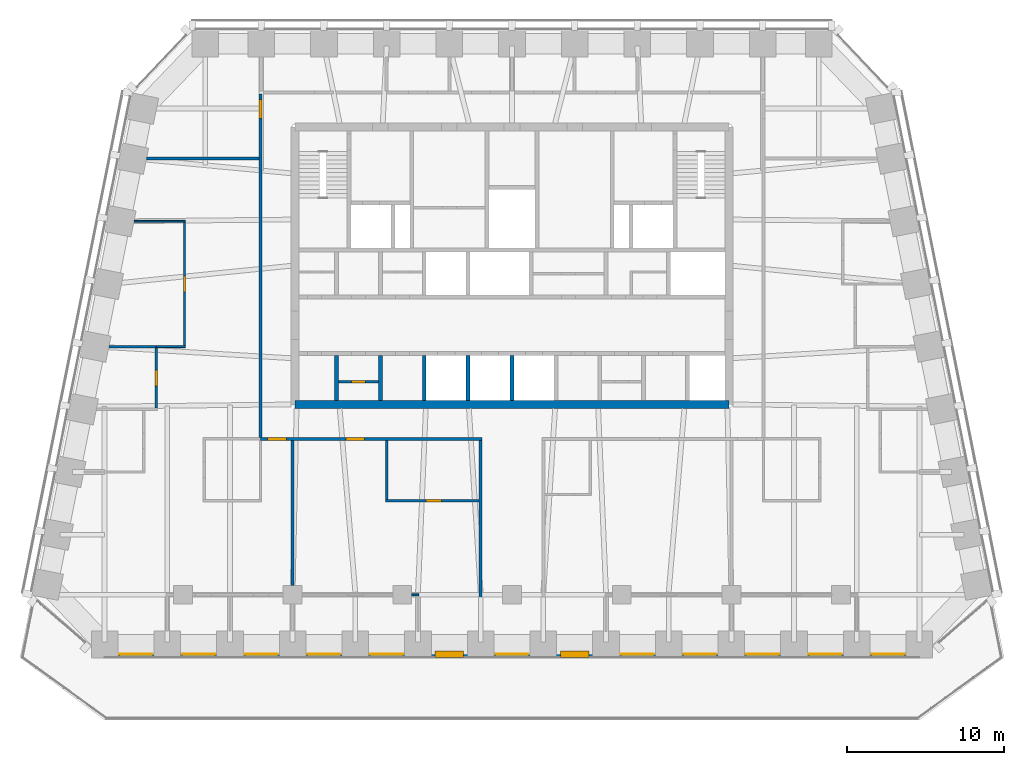
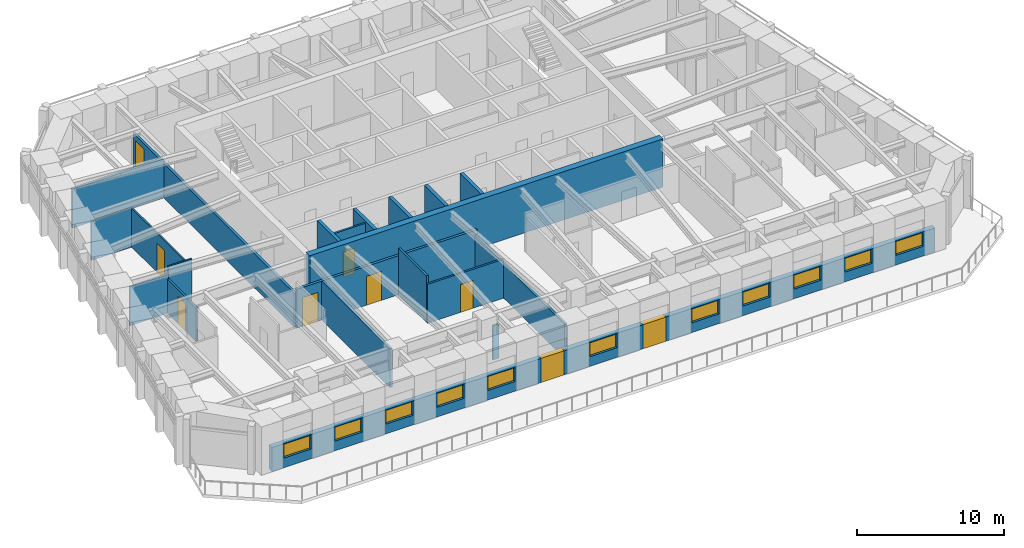
# One storey, part 5 of 11: 21 walls, 11 windows, 9 doors, 20 openings.
"""IFC4 building model written with IfcOpenShell, lengths in metres."""

import ifcopenshell
import ifcopenshell.guid

model = None  # the IFC model being written
_history = None  # IfcOwnerHistory: only IFC2X3 demands one
_inside = {}  # id of a spatial element -> (the spatial element, [elements in it])
_under = {}  # id of a project, library or spatial element -> (it, [spatial elements below it])
_declared = {}  # id of a project -> (the project, [libraries it declares])
_typed = {}  # id of a type object -> (the type object, [elements of that type])
_made_of = {}  # id of a material, layer set ... -> (it, [elements and type objects made of it])


def new_model(schema):
    """Start an empty IFC model of exactly this schema.

    Asked for "IFC4X3", IfcOpenShell would pick the latest addendum, in which some entities
    have other attributes; the version numbers below select the first issue.
    IFC2X3 requires an IfcOwnerHistory on every rooted entity: one is made here for all.
    """
    global model, _history
    if schema == "IFC4X3":
        model = ifcopenshell.file(schema_version=(4, 3, 0, 0))
    else:
        model = ifcopenshell.file(schema=schema)
    _inside.clear()
    _under.clear()
    _declared.clear()
    _typed.clear()
    _made_of.clear()
    _history = None
    if model.schema == "IFC2X3":
        org = make("IfcOrganization", Name="unknown")
        user = make(
            "IfcPersonAndOrganization",
            ThePerson=make("IfcPerson", FamilyName="unknown"),
            TheOrganization=org,
        )
        app = make(
            "IfcApplication",
            ApplicationDeveloper=org,
            Version="unknown",
            ApplicationFullName="unknown",
            ApplicationIdentifier="unknown",
        )
        _history = make(
            "IfcOwnerHistory",
            OwningUser=user,
            OwningApplication=app,
            ChangeAction="ADDED",
            CreationDate=0,
        )
    return model


def make(cls, **values):
    """One entity of the class cls with the attributes given. An attribute that is None is left unset."""
    return model.create_entity(
        cls, **{name: value for name, value in values.items() if value is not None}
    )


def rooted(cls, **values):
    """An entity with a GlobalId (a new one), such as an element, a storey or a relation."""
    return make(cls, GlobalId=ifcopenshell.guid.new(), OwnerHistory=_history, **values)


def si_unit(unit_type, name, prefix=None):
    """IfcSIUnit, for example si_unit("LENGTHUNIT", "METRE", prefix="MILLI")."""
    return make("IfcSIUnit", UnitType=unit_type, Prefix=prefix, Name=name)


def assignment(units):
    """IfcUnitAssignment: the units of a project."""
    return None if units is None else make("IfcUnitAssignment", Units=units)


def point(xyz):
    """IfcCartesianPoint."""
    return None if xyz is None else make("IfcCartesianPoint", Coordinates=xyz)


def direction(xyz):
    """IfcDirection."""
    return None if xyz is None else make("IfcDirection", DirectionRatios=xyz)


def frame(location, z_axis=None, x_axis=None):
    """IfcAxis2Placement3D, a coordinate frame: its origin and axes. An axis left out is left unset."""
    return make(
        "IfcAxis2Placement3D",
        Location=point(location),
        Axis=direction(z_axis),
        RefDirection=direction(x_axis),
    )


def frame_2d(location, x_axis=None):
    """IfcAxis2Placement2D, a coordinate frame in the plane: its origin and x axis."""
    return make(
        "IfcAxis2Placement2D", Location=point(location), RefDirection=direction(x_axis)
    )


def origin():
    """The frame at (0, 0, 0) with its axes left unset."""
    return frame((0.0, 0.0, 0.0))


def place(relative_to, where):
    """IfcLocalPlacement: puts the frame where relative to a parent placement (None: the world)."""
    return make(
        "IfcLocalPlacement", PlacementRelTo=relative_to, RelativePlacement=where
    )


def context(
    kind, dimensions, precision=None, world=None, true_north=None, identifier=None
):
    """IfcGeometricRepresentationContext, for example the 3D "Model" context."""
    return make(
        "IfcGeometricRepresentationContext",
        ContextIdentifier=identifier,
        ContextType=kind,
        CoordinateSpaceDimension=dimensions,
        Precision=precision,
        WorldCoordinateSystem=world,
        TrueNorth=true_north,
    )


def subcontext(parent, identifier, kind, view, scale=None):
    """IfcGeometricRepresentationSubContext, for example "Body" below "Model"."""
    return make(
        "IfcGeometricRepresentationSubContext",
        ContextIdentifier=identifier,
        ContextType=kind,
        ParentContext=parent,
        TargetScale=scale,
        TargetView=view,
    )


def project(units=None, contexts=None):
    """IfcProject with its units and contexts."""
    return rooted(
        "IfcProject",
        Name="project",
        RepresentationContexts=contexts,
        UnitsInContext=assignment(units),
    )


def spatial(cls, under=None, at=None, **own):
    """A site, building, storey or space (cls), placed at a placement, below another one or the project."""
    s = rooted(cls, ObjectPlacement=at, **own)
    if under is not None:
        _under.setdefault(under.id(), (under, []))[1].append(s)
    return s


def profile(cls, at=None, kind="AREA", **sizes):
    """A parametric profile (cls). Its sizes go by their IFC names, for example OverallWidth=200.0."""
    return make(cls, ProfileType=kind, Position=at, **sizes)


def rectangle(**sizes):
    """IfcRectangleProfileDef."""
    return profile("IfcRectangleProfileDef", **sizes)


def extrude(swept, where, along, depth):
    """IfcExtrudedAreaSolid: the profile swept, set in the frame where, extruded along a direction by depth."""
    return make(
        "IfcExtrudedAreaSolid",
        SweptArea=swept,
        Position=where,
        ExtrudedDirection=direction(along),
        Depth=depth,
    )


def shape(context_of_items, identifier, shape_type, items):
    """IfcShapeRepresentation: the items that make up one representation, for example the "Body"."""
    return make(
        "IfcShapeRepresentation",
        ContextOfItems=context_of_items,
        RepresentationIdentifier=identifier,
        RepresentationType=shape_type,
        Items=items,
    )


def material(Name=None, Category=None):
    """IfcMaterial."""
    return make("IfcMaterial", Name=Name, Category=Category)


def layer(
    of_material, thickness, ventilated=None, Name=None, Category=None, Priority=None
):
    """IfcMaterialLayer: one layer of a wall or slab, of a material (None: an air gap)."""
    return make(
        "IfcMaterialLayer",
        Material=of_material,
        LayerThickness=thickness,
        IsVentilated=ventilated,
        Name=Name,
        Category=Category,
        Priority=Priority,
    )


def layer_set(layers, Name=None):
    """IfcMaterialLayerSet."""
    return make("IfcMaterialLayerSet", MaterialLayers=layers, LayerSetName=Name)


def made_of(thing, what):
    """Note that an element or type object is made of a material, layer set ...; save() writes the relation."""
    if what is not None:
        _made_of.setdefault(what.id(), (what, []))[1].append(thing)
    return thing


def type_object(cls, material=None, **own):
    """A type object (cls), such as IfcWallType, which elements share."""
    return made_of(rooted(cls, **own), material)


def element(
    cls,
    number,
    at=None,
    inside=None,
    cuts=None,
    type_object=None,
    material=None,
    context=None,
    identifier="Body",
    shape_type=None,
    held_by="IfcProductDefinitionShape",
    body=None,
    shapes=None,
    **own,
):
    """One element of the class cls, such as IfcWall. Its Tag is "e" and its number.

    at: its placement. inside: the storey or other place that contains it. cuts: it is an
    opening in that element (IfcRelVoidsElement). A single representation is given by context,
    identifier, shape_type and body (its items); several are given by shapes. held_by: the class
    of the entity that holds the representations. save() writes the other relations.
    """
    e = rooted(cls, Tag="e%d" % number, ObjectPlacement=at, **own)
    if body is not None:
        shapes = [shape(context, identifier, shape_type, body)]
    if shapes is not None:
        e.Representation = make(held_by, Representations=shapes)
    if inside is not None:
        _inside.setdefault(inside.id(), (inside, []))[1].append(e)
    if cuts is not None:
        rooted(
            "IfcRelVoidsElement", RelatingBuildingElement=cuts, RelatedOpeningElement=e
        )
    if type_object is not None:
        _typed.setdefault(type_object.id(), (type_object, []))[1].append(e)
    return made_of(e, material)


def fill(opening, filler):
    """IfcRelFillsElement: the door or window that sits in an opening."""
    return rooted(
        "IfcRelFillsElement",
        RelatingOpeningElement=opening,
        RelatedBuildingElement=filler,
    )


def aggregate(whole, parts):
    """IfcRelAggregates: a whole, such as a stair, and the parts it consists of."""
    return rooted("IfcRelAggregates", RelatingObject=whole, RelatedObjects=parts)


def save(model, path):
    """Write the relations noted so far, then the file.

    IfcRelAggregates (storeys below a building ...), IfcRelContainedInSpatialStructure (elements
    in a storey), IfcRelDefinesByType, IfcRelAssociatesMaterial and IfcRelDeclares: one each for
    every whole, place, type object, material and project.
    """
    for whole, parts in _under.values():
        aggregate(whole, parts)
    for where, things in _inside.values():
        rooted(
            "IfcRelContainedInSpatialStructure",
            RelatedElements=things,
            RelatingStructure=where,
        )
    for kind, things in _typed.values():
        rooted("IfcRelDefinesByType", RelatedObjects=things, RelatingType=kind)
    for what, things in _made_of.values():
        rooted("IfcRelAssociatesMaterial", RelatedObjects=things, RelatingMaterial=what)
    for by, libraries in _declared.values():
        rooted("IfcRelDeclares", RelatingContext=by, RelatedDefinitions=libraries)
    model.write(path)


model = new_model("IFC4")

# Units and contexts
model_context = context("Model", 3, precision=1e-05, world=origin(), true_north=direction((0.0, 1.0)))
body_context = subcontext(model_context, "Body", "Model", "MODEL_VIEW")
ifc_project = project(units=[si_unit("LENGTHUNIT", "METRE"), si_unit("AREAUNIT", "SQUARE_METRE"), si_unit("VOLUMEUNIT", "CUBIC_METRE"), si_unit("PLANEANGLEUNIT", "RADIAN"), si_unit("MASSUNIT", "GRAM", prefix="KILO")], contexts=[model_context])

# Site, building, storey
site_placement = place(None, origin())
site = spatial("IfcSite", under=ifc_project, at=site_placement, CompositionType="ELEMENT")
building_placement = place(site_placement, origin())
building = spatial("IfcBuilding", under=site, at=building_placement, Name="Isbrekke Arena Tower", CompositionType="ELEMENT")
storey_placement = place(building_placement, frame((0.0, 0.0, 272.0)))
storey = spatial("IfcBuildingStorey", under=building, at=storey_placement, Name="L63", CompositionType="ELEMENT", Elevation=272.0)

# Walls
ifc_material_1 = material(Name="Concrete B55 (C55/67)", Category="concrete")
ifc_layer_1 = layer(ifc_material_1, 0.5)
ifc_layer_set_1 = layer_set([ifc_layer_1], Name="CW5 CORE WALL 500")
wall_type_1 = type_object("IfcWallType", Name="CW5 CORE WALL 500", PredefinedType="SHEAR", material=ifc_layer_set_1)
wall_1_placement = place(storey_placement, frame((-13.85009765625, 6.14990234375, 0.0), z_axis=(0.0, 0.0, 1.0), x_axis=(1.0, 0.0, 0.0)))
element("IfcWall", 1, at=wall_1_placement, inside=storey, type_object=wall_type_1, Name="Core wall S L63", PredefinedType="SHEAR", context=body_context, shape_type="SweptSolid", body=[
    extrude(rectangle(XDim=27.7001953125, YDim=0.5, at=frame_2d((13.85009765625, 0.0))), origin(), (0.0, 0.0, 1.0), 4.0),
])
ifc_material_2 = material(Name="Concrete B45 (C45/55)", Category="concrete")
ifc_layer_2 = layer(ifc_material_2, 0.25)
ifc_layer_set_2 = layer_set([ifc_layer_2], Name="CW6 SHAFT WALL 250")
wall_type_2 = type_object("IfcWallType", Name="CW6 SHAFT WALL 250", PredefinedType="SHEAR", material=ifc_layer_set_2)
for number, where, z_axis, x_axis, name in (
    (2, (-11.199951171875, 6.39990234375, 0.0), (0.0, 0.0, 1.0), (0.0, 1.0, 0.0), "Core wall SS01 L63"),
    (3, (-8.39990234375, 6.39990234375, 0.0), (0.0, 0.0, 1.0), (0.0, 1.0, 0.0), "Core wall SS02 L63"),
    (4, (-5.60009765625, 6.39990234375, 0.0), (0.0, 0.0, 1.0), (0.0, 1.0, 0.0), "Core wall SS03 L63"),
    (5, (-2.800048828125, 6.39990234375, 0.0), (0.0, 0.0, 1.0), (0.0, 1.0, 0.0), "Core wall SS04 L63"),
    (6, (0.0, 6.39990234375, 0.0), (0.0, 0.0, 1.0), (0.0, 1.0, 0.0), "Core wall SS05 L63"),
):
    element("IfcWall", number, at=place(storey_placement, frame(where, z_axis=z_axis, x_axis=x_axis)), inside=storey, type_object=wall_type_2, Name=name, PredefinedType="SHEAR", context=body_context, shape_type="SweptSolid", body=[
        extrude(rectangle(XDim=2.875, YDim=0.25, at=frame_2d((1.4375, 0.0))), origin(), (0.0, 0.0, 1.0), 4.0),
    ])

# Wall, openings, doors, windows
ifc_material_3 = material(Name="Copper cladding on insulated framing", Category="metal")
ifc_layer_3 = layer(ifc_material_3, 0.39990234375)
ifc_layer_set_3 = layer_set([ifc_layer_3], Name="EW2 COPPER-CLAD WALL 400")
wall_type_3 = type_object("IfcWallType", Name="EW2 COPPER-CLAD WALL 400", PredefinedType="SOLIDWALL", material=ifc_layer_set_3)
wall_2_placement = place(storey_placement, frame((-26.0, -9.800048828125, 0.0), z_axis=(0.0, 0.0, 1.0), x_axis=(1.0, 0.0, 0.0)))
wall_2 = element("IfcWall", 7, at=wall_2_placement, inside=storey, type_object=wall_type_3, Name="EW2 terrace wall L63", PredefinedType="SOLIDWALL", context=body_context, shape_type="SweptSolid", body=[
    extrude(rectangle(XDim=52.0, YDim=0.39990234375, at=frame_2d((26.0, 0.0))), origin(), (0.0, 0.0, 1.0), 2.0),
])
opening_1_placement = place(wall_2_placement, frame((0.949951171875, 0.0, 0.800048828125)))
opening_1 = element("IfcOpeningElement", 8, at=opening_1_placement, cuts=wall_2, Name="Opening WN1", PredefinedType="OPENING", context=body_context, shape_type="SweptSolid", body=[
    extrude(rectangle(XDim=2.10009765625, YDim=1.14990234375, at=frame_2d((1.050048828125, 0.574951171875))), frame((0.0, 0.21484375, 0.0), z_axis=(0.0, -1.0, 0.0), x_axis=(1.0, 0.0, 0.0)), (0.0, 0.0, 1.0), 0.4296875),
])
opening_2_placement = place(wall_2_placement, frame((4.949951171875, 0.0, 0.800048828125)))
opening_2 = element("IfcOpeningElement", 9, at=opening_2_placement, cuts=wall_2, Name="Opening WN1", PredefinedType="OPENING", context=body_context, shape_type="SweptSolid", body=[
    extrude(rectangle(XDim=2.10009765625, YDim=1.14990234375, at=frame_2d((1.050048828125, 0.574951171875))), frame((0.0, 0.21484375, 0.0), z_axis=(0.0, -1.0, 0.0), x_axis=(1.0, 0.0, 0.0)), (0.0, 0.0, 1.0), 0.4296875),
])
opening_3_placement = place(wall_2_placement, frame((8.949951171875, 0.0, 0.800048828125)))
opening_3 = element("IfcOpeningElement", 10, at=opening_3_placement, cuts=wall_2, Name="Opening WN1", PredefinedType="OPENING", context=body_context, shape_type="SweptSolid", body=[
    extrude(rectangle(XDim=2.10009765625, YDim=1.14990234375, at=frame_2d((1.050048828125, 0.574951171875))), frame((0.0, 0.21484375, 0.0), z_axis=(0.0, -1.0, 0.0), x_axis=(1.0, 0.0, 0.0)), (0.0, 0.0, 1.0), 0.4296875),
])
opening_4_placement = place(wall_2_placement, frame((12.949951171875, 0.0, 0.800048828125)))
opening_4 = element("IfcOpeningElement", 11, at=opening_4_placement, cuts=wall_2, Name="Opening WN1", PredefinedType="OPENING", context=body_context, shape_type="SweptSolid", body=[
    extrude(rectangle(XDim=2.10009765625, YDim=1.14990234375, at=frame_2d((1.050048828125, 0.574951171875))), frame((0.0, 0.21484375, 0.0), z_axis=(0.0, -1.0, 0.0), x_axis=(1.0, 0.0, 0.0)), (0.0, 0.0, 1.0), 0.4296875),
])
opening_5_placement = place(wall_2_placement, frame((16.949951171875, 0.0, 0.800048828125)))
opening_5 = element("IfcOpeningElement", 12, at=opening_5_placement, cuts=wall_2, Name="Opening WN1", PredefinedType="OPENING", context=body_context, shape_type="SweptSolid", body=[
    extrude(rectangle(XDim=2.10009765625, YDim=1.14990234375, at=frame_2d((1.050048828125, 0.574951171875))), frame((0.0, 0.21484375, 0.0), z_axis=(0.0, -1.0, 0.0), x_axis=(1.0, 0.0, 0.0)), (0.0, 0.0, 1.0), 0.4296875),
])
opening_6_placement = place(wall_2_placement, frame((21.10009765625, 0.0, 0.0)))
opening_6 = element("IfcOpeningElement", 13, at=opening_6_placement, cuts=wall_2, Name="Opening DT1", PredefinedType="OPENING", context=body_context, shape_type="SweptSolid", body=[
    extrude(rectangle(XDim=1.800048828125, YDim=2.0, at=frame_2d((0.89990234375, 1.0))), frame((0.0, 0.21484375, 0.0), z_axis=(0.0, -1.0, 0.0), x_axis=(1.0, 0.0, 0.0)), (0.0, 0.0, 1.0), 0.4296875),
])
opening_7_placement = place(wall_2_placement, frame((24.949951171875, 0.0, 0.800048828125)))
opening_7 = element("IfcOpeningElement", 14, at=opening_7_placement, cuts=wall_2, Name="Opening WN1", PredefinedType="OPENING", context=body_context, shape_type="SweptSolid", body=[
    extrude(rectangle(XDim=2.10009765625, YDim=1.14990234375, at=frame_2d((1.050048828125, 0.574951171875))), frame((0.0, 0.21484375, 0.0), z_axis=(0.0, -1.0, 0.0), x_axis=(1.0, 0.0, 0.0)), (0.0, 0.0, 1.0), 0.4296875),
])
opening_8_placement = place(wall_2_placement, frame((29.10009765625, 0.0, 0.0)))
opening_8 = element("IfcOpeningElement", 15, at=opening_8_placement, cuts=wall_2, Name="Opening DT1", PredefinedType="OPENING", context=body_context, shape_type="SweptSolid", body=[
    extrude(rectangle(XDim=1.800048828125, YDim=2.0, at=frame_2d((0.89990234375, 1.0))), frame((0.0, 0.21484375, 0.0), z_axis=(0.0, -1.0, 0.0), x_axis=(1.0, 0.0, 0.0)), (0.0, 0.0, 1.0), 0.4296875),
])
opening_9_placement = place(wall_2_placement, frame((32.949951171875, 0.0, 0.800048828125)))
opening_9 = element("IfcOpeningElement", 16, at=opening_9_placement, cuts=wall_2, Name="Opening WN1", PredefinedType="OPENING", context=body_context, shape_type="SweptSolid", body=[
    extrude(rectangle(XDim=2.10009765625, YDim=1.14990234375, at=frame_2d((1.050048828125, 0.574951171875))), frame((0.0, 0.21484375, 0.0), z_axis=(0.0, -1.0, 0.0), x_axis=(1.0, 0.0, 0.0)), (0.0, 0.0, 1.0), 0.4296875),
])
opening_10_placement = place(wall_2_placement, frame((36.949951171875, 0.0, 0.800048828125)))
opening_10 = element("IfcOpeningElement", 17, at=opening_10_placement, cuts=wall_2, Name="Opening WN1", PredefinedType="OPENING", context=body_context, shape_type="SweptSolid", body=[
    extrude(rectangle(XDim=2.10009765625, YDim=1.14990234375, at=frame_2d((1.050048828125, 0.574951171875))), frame((0.0, 0.21484375, 0.0), z_axis=(0.0, -1.0, 0.0), x_axis=(1.0, 0.0, 0.0)), (0.0, 0.0, 1.0), 0.4296875),
])
opening_11_placement = place(wall_2_placement, frame((40.949951171875, 0.0, 0.800048828125)))
opening_11 = element("IfcOpeningElement", 18, at=opening_11_placement, cuts=wall_2, Name="Opening WN1", PredefinedType="OPENING", context=body_context, shape_type="SweptSolid", body=[
    extrude(rectangle(XDim=2.10009765625, YDim=1.14990234375, at=frame_2d((1.050048828125, 0.574951171875))), frame((0.0, 0.21484375, 0.0), z_axis=(0.0, -1.0, 0.0), x_axis=(1.0, 0.0, 0.0)), (0.0, 0.0, 1.0), 0.4296875),
])
opening_12_placement = place(wall_2_placement, frame((44.949951171875, 0.0, 0.800048828125)))
opening_12 = element("IfcOpeningElement", 19, at=opening_12_placement, cuts=wall_2, Name="Opening WN1", PredefinedType="OPENING", context=body_context, shape_type="SweptSolid", body=[
    extrude(rectangle(XDim=2.10009765625, YDim=1.14990234375, at=frame_2d((1.050048828125, 0.574951171875))), frame((0.0, 0.21484375, 0.0), z_axis=(0.0, -1.0, 0.0), x_axis=(1.0, 0.0, 0.0)), (0.0, 0.0, 1.0), 0.4296875),
])
opening_13_placement = place(wall_2_placement, frame((48.949951171875, 0.0, 0.800048828125)))
opening_13 = element("IfcOpeningElement", 20, at=opening_13_placement, cuts=wall_2, Name="Opening WN1", PredefinedType="OPENING", context=body_context, shape_type="SweptSolid", body=[
    extrude(rectangle(XDim=2.10009765625, YDim=1.14990234375, at=frame_2d((1.050048828125, 0.574951171875))), frame((0.0, 0.21484375, 0.0), z_axis=(0.0, -1.0, 0.0), x_axis=(1.0, 0.0, 0.0)), (0.0, 0.0, 1.0), 0.4296875),
])
ifc_material_4 = material(Name="Timber-aluminium glazed door", Category="wood")
door_type_1 = type_object("IfcDoorType", Name="DT1 TERRACE DOOR 1800 x 2000", OperationType="DOUBLE_DOOR_SINGLE_SWING", PredefinedType="DOOR", material=ifc_material_4)
door_1_placement = place(opening_6_placement, origin())
door_1 = element("IfcDoor", 21, at=door_1_placement, inside=storey, type_object=door_type_1, Name="DT1 terrace door L63-6", OperationType="DOUBLE_DOOR_SINGLE_SWING", OverallHeight=2.0, OverallWidth=1.800048828125, PredefinedType="DOOR", context=body_context, shape_type="SweptSolid", body=[
    extrude(rectangle(XDim=1.800048828125, YDim=2.0, at=frame_2d((0.89990234375, 1.0))), frame((0.0, 0.19970703125, 0.0), z_axis=(0.0, -1.0, 0.0), x_axis=(1.0, 0.0, 0.0)), (0.0, 0.0, 1.0), 0.3994140625),
])
fill(opening_6, door_1)
door_2_placement = place(opening_8_placement, origin())
door_2 = element("IfcDoor", 22, at=door_2_placement, inside=storey, type_object=door_type_1, Name="DT1 terrace door L63-8", OperationType="DOUBLE_DOOR_SINGLE_SWING", OverallHeight=2.0, OverallWidth=1.800048828125, PredefinedType="DOOR", context=body_context, shape_type="SweptSolid", body=[
    extrude(rectangle(XDim=1.800048828125, YDim=2.0, at=frame_2d((0.89990234375, 1.0))), frame((0.0, 0.19970703125, 0.0), z_axis=(0.0, -1.0, 0.0), x_axis=(1.0, 0.0, 0.0)), (0.0, 0.0, 1.0), 0.3994140625),
])
fill(opening_8, door_2)
ifc_material_5 = material(Name="Timber-aluminium window, triple glazed", Category="wood")
window_type = type_object("IfcWindowType", Name="WN1 TERRACE WINDOW 2100 x 1150", PartitioningType="SINGLE_PANEL", PredefinedType="WINDOW", material=ifc_material_5)
window_1_placement = place(opening_1_placement, origin())
window_1 = element("IfcWindow", 23, at=window_1_placement, inside=storey, type_object=window_type, Name="WN1 terrace window L63-1", OverallHeight=1.14990234375, OverallWidth=2.10009765625, PartitioningType="SINGLE_PANEL", PredefinedType="WINDOW", context=body_context, shape_type="SweptSolid", body=[
    extrude(rectangle(XDim=2.10009765625, YDim=1.14990234375, at=frame_2d((1.050048828125, 0.574951171875))), frame((0.0, 0.030029296875, 0.0), z_axis=(0.0, -1.0, 0.0), x_axis=(1.0, 0.0, 0.0)), (0.0, 0.0, 1.0), 0.06005859375),
])
fill(opening_1, window_1)
window_2_placement = place(opening_2_placement, origin())
window_2 = element("IfcWindow", 24, at=window_2_placement, inside=storey, type_object=window_type, Name="WN1 terrace window L63-2", OverallHeight=1.14990234375, OverallWidth=2.10009765625, PartitioningType="SINGLE_PANEL", PredefinedType="WINDOW", context=body_context, shape_type="SweptSolid", body=[
    extrude(rectangle(XDim=2.10009765625, YDim=1.14990234375, at=frame_2d((1.050048828125, 0.574951171875))), frame((0.0, 0.030029296875, 0.0), z_axis=(0.0, -1.0, 0.0), x_axis=(1.0, 0.0, 0.0)), (0.0, 0.0, 1.0), 0.06005859375),
])
fill(opening_2, window_2)
window_3_placement = place(opening_3_placement, origin())
window_3 = element("IfcWindow", 25, at=window_3_placement, inside=storey, type_object=window_type, Name="WN1 terrace window L63-3", OverallHeight=1.14990234375, OverallWidth=2.10009765625, PartitioningType="SINGLE_PANEL", PredefinedType="WINDOW", context=body_context, shape_type="SweptSolid", body=[
    extrude(rectangle(XDim=2.10009765625, YDim=1.14990234375, at=frame_2d((1.050048828125, 0.574951171875))), frame((0.0, 0.030029296875, 0.0), z_axis=(0.0, -1.0, 0.0), x_axis=(1.0, 0.0, 0.0)), (0.0, 0.0, 1.0), 0.06005859375),
])
fill(opening_3, window_3)
window_4_placement = place(opening_4_placement, origin())
window_4 = element("IfcWindow", 26, at=window_4_placement, inside=storey, type_object=window_type, Name="WN1 terrace window L63-4", OverallHeight=1.14990234375, OverallWidth=2.10009765625, PartitioningType="SINGLE_PANEL", PredefinedType="WINDOW", context=body_context, shape_type="SweptSolid", body=[
    extrude(rectangle(XDim=2.10009765625, YDim=1.14990234375, at=frame_2d((1.050048828125, 0.574951171875))), frame((0.0, 0.030029296875, 0.0), z_axis=(0.0, -1.0, 0.0), x_axis=(1.0, 0.0, 0.0)), (0.0, 0.0, 1.0), 0.06005859375),
])
fill(opening_4, window_4)
window_5_placement = place(opening_5_placement, origin())
window_5 = element("IfcWindow", 27, at=window_5_placement, inside=storey, type_object=window_type, Name="WN1 terrace window L63-5", OverallHeight=1.14990234375, OverallWidth=2.10009765625, PartitioningType="SINGLE_PANEL", PredefinedType="WINDOW", context=body_context, shape_type="SweptSolid", body=[
    extrude(rectangle(XDim=2.10009765625, YDim=1.14990234375, at=frame_2d((1.050048828125, 0.574951171875))), frame((0.0, 0.030029296875, 0.0), z_axis=(0.0, -1.0, 0.0), x_axis=(1.0, 0.0, 0.0)), (0.0, 0.0, 1.0), 0.06005859375),
])
fill(opening_5, window_5)
window_6_placement = place(opening_7_placement, origin())
window_6 = element("IfcWindow", 28, at=window_6_placement, inside=storey, type_object=window_type, Name="WN1 terrace window L63-7", OverallHeight=1.14990234375, OverallWidth=2.10009765625, PartitioningType="SINGLE_PANEL", PredefinedType="WINDOW", context=body_context, shape_type="SweptSolid", body=[
    extrude(rectangle(XDim=2.10009765625, YDim=1.14990234375, at=frame_2d((1.050048828125, 0.574951171875))), frame((0.0, 0.030029296875, 0.0), z_axis=(0.0, -1.0, 0.0), x_axis=(1.0, 0.0, 0.0)), (0.0, 0.0, 1.0), 0.06005859375),
])
fill(opening_7, window_6)
window_7_placement = place(opening_9_placement, origin())
window_7 = element("IfcWindow", 29, at=window_7_placement, inside=storey, type_object=window_type, Name="WN1 terrace window L63-9", OverallHeight=1.14990234375, OverallWidth=2.10009765625, PartitioningType="SINGLE_PANEL", PredefinedType="WINDOW", context=body_context, shape_type="SweptSolid", body=[
    extrude(rectangle(XDim=2.10009765625, YDim=1.14990234375, at=frame_2d((1.050048828125, 0.574951171875))), frame((0.0, 0.030029296875, 0.0), z_axis=(0.0, -1.0, 0.0), x_axis=(1.0, 0.0, 0.0)), (0.0, 0.0, 1.0), 0.06005859375),
])
fill(opening_9, window_7)
window_8_placement = place(opening_10_placement, origin())
window_8 = element("IfcWindow", 30, at=window_8_placement, inside=storey, type_object=window_type, Name="WN1 terrace window L63-10", OverallHeight=1.14990234375, OverallWidth=2.10009765625, PartitioningType="SINGLE_PANEL", PredefinedType="WINDOW", context=body_context, shape_type="SweptSolid", body=[
    extrude(rectangle(XDim=2.10009765625, YDim=1.14990234375, at=frame_2d((1.050048828125, 0.574951171875))), frame((0.0, 0.030029296875, 0.0), z_axis=(0.0, -1.0, 0.0), x_axis=(1.0, 0.0, 0.0)), (0.0, 0.0, 1.0), 0.06005859375),
])
fill(opening_10, window_8)
window_9_placement = place(opening_11_placement, origin())
window_9 = element("IfcWindow", 31, at=window_9_placement, inside=storey, type_object=window_type, Name="WN1 terrace window L63-11", OverallHeight=1.14990234375, OverallWidth=2.10009765625, PartitioningType="SINGLE_PANEL", PredefinedType="WINDOW", context=body_context, shape_type="SweptSolid", body=[
    extrude(rectangle(XDim=2.10009765625, YDim=1.14990234375, at=frame_2d((1.050048828125, 0.574951171875))), frame((0.0, 0.030029296875, 0.0), z_axis=(0.0, -1.0, 0.0), x_axis=(1.0, 0.0, 0.0)), (0.0, 0.0, 1.0), 0.06005859375),
])
fill(opening_11, window_9)
window_10_placement = place(opening_12_placement, origin())
window_10 = element("IfcWindow", 32, at=window_10_placement, inside=storey, type_object=window_type, Name="WN1 terrace window L63-12", OverallHeight=1.14990234375, OverallWidth=2.10009765625, PartitioningType="SINGLE_PANEL", PredefinedType="WINDOW", context=body_context, shape_type="SweptSolid", body=[
    extrude(rectangle(XDim=2.10009765625, YDim=1.14990234375, at=frame_2d((1.050048828125, 0.574951171875))), frame((0.0, 0.030029296875, 0.0), z_axis=(0.0, -1.0, 0.0), x_axis=(1.0, 0.0, 0.0)), (0.0, 0.0, 1.0), 0.06005859375),
])
fill(opening_12, window_10)
window_11_placement = place(opening_13_placement, origin())
window_11 = element("IfcWindow", 33, at=window_11_placement, inside=storey, type_object=window_type, Name="WN1 terrace window L63-13", OverallHeight=1.14990234375, OverallWidth=2.10009765625, PartitioningType="SINGLE_PANEL", PredefinedType="WINDOW", context=body_context, shape_type="SweptSolid", body=[
    extrude(rectangle(XDim=2.10009765625, YDim=1.14990234375, at=frame_2d((1.050048828125, 0.574951171875))), frame((0.0, 0.030029296875, 0.0), z_axis=(0.0, -1.0, 0.0), x_axis=(1.0, 0.0, 0.0)), (0.0, 0.0, 1.0), 0.06005859375),
])
fill(opening_13, window_11)

# Wall, opening, door
ifc_material_6 = material(Name="Gypsum board partition on steel studs", Category="steel")
ifc_layer_4 = layer(ifc_material_6, 0.14990234375)
ifc_layer_set_4 = layer_set([ifc_layer_4], Name="IW1 PARTITION 150")
wall_type_4 = type_object("IfcWallType", Name="IW1 PARTITION 150", PredefinedType="PARTITIONING", material=ifc_layer_set_4)
wall_3_placement = place(storey_placement, frame((-8.074951171875, 0.0, 0.0), z_axis=(0.0, 0.0, 1.0), x_axis=(1.0, 0.0, 0.0)))
wall_3 = element("IfcWall", 34, at=wall_3_placement, inside=storey, type_object=wall_type_4, Name="IW1 partition 150 L63", PredefinedType="PARTITIONING", context=body_context, shape_type="SweptSolid", body=[
    extrude(rectangle(XDim=5.974853515625, YDim=0.14990234375, at=frame_2d((2.9873046875, 0.0))), origin(), (0.0, 0.0, 1.0), 3.22998046875),
])
opening_14_placement = place(wall_3_placement, frame((2.574951171875, 0.0, 0.0)))
opening_14 = element("IfcOpeningElement", 35, at=opening_14_placement, cuts=wall_3, Name="Opening D10", PredefinedType="OPENING", context=body_context, shape_type="SweptSolid", body=[
    extrude(rectangle(XDim=1.0, YDim=2.300048828125, at=frame_2d((0.5, 1.14990234375))), frame((0.0, 0.08984375, 0.0), z_axis=(0.0, -1.0, 0.0), x_axis=(1.0, 0.0, 0.0)), (0.0, 0.0, 1.0), 0.1796875),
])
ifc_material_7 = material(Name="Timber door", Category="wood")
door_type_2 = type_object("IfcDoorType", Name="D10 OFFICE DOOR 1000 x 2300", OperationType="SINGLE_SWING_LEFT", PredefinedType="DOOR", material=ifc_material_7)
door_3_placement = place(opening_14_placement, origin())
door_3 = element("IfcDoor", 36, at=door_3_placement, inside=storey, type_object=door_type_2, Name="D10 reception door L63", OperationType="SINGLE_SWING_LEFT", OverallHeight=2.300048828125, OverallWidth=1.0, PredefinedType="DOOR", context=body_context, shape_type="SweptSolid", body=[
    extrude(rectangle(XDim=1.0, YDim=2.300048828125, at=frame_2d((0.5, 1.14990234375))), frame((0.0, 0.07470703125, 0.0), z_axis=(0.0, -1.0, 0.0), x_axis=(1.0, 0.0, 0.0)), (0.0, 0.0, 1.0), 0.1494140625),
])
fill(opening_14, door_3)

# Wall
wall_4_placement = place(storey_placement, frame((-25.723876953125, 9.840087890625, 0.0), z_axis=(0.0, 0.0, 1.0), x_axis=(1.0, 0.0, 0.0)))
element("IfcWall", 37, at=wall_4_placement, inside=storey, type_object=wall_type_4, Name="IW1 partition 150 L63", PredefinedType="PARTITIONING", context=body_context, shape_type="SweptSolid", body=[
    extrude(rectangle(XDim=3.02392578125, YDim=0.14990234375, at=frame_2d((1.511962890625, 0.0))), origin(), (0.0, 0.0, 1.0), 3.22998046875),
])

# Wall, opening, door
wall_5_placement = place(storey_placement, frame((-22.699951171875, 5.9150390625, 0.0), z_axis=(0.0, 0.0, 1.0), x_axis=(0.0, 1.0, 0.0)))
wall_5 = element("IfcWall", 38, at=wall_5_placement, inside=storey, type_object=wall_type_4, Name="IW1 partition 150 L63", PredefinedType="PARTITIONING", context=body_context, shape_type="SweptSolid", body=[
    extrude(rectangle(XDim=3.849853515625, YDim=0.14990234375, at=frame_2d((1.9248046875, 0.0))), origin(), (0.0, 0.0, 1.0), 2.842041015625),
])
opening_15_placement = place(wall_5_placement, frame((1.425048828125, 0.0, 0.0)))
opening_15 = element("IfcOpeningElement", 39, at=opening_15_placement, cuts=wall_5, Name="Opening D10", PredefinedType="OPENING", context=body_context, shape_type="SweptSolid", body=[
    extrude(rectangle(XDim=1.0, YDim=2.300048828125, at=frame_2d((0.5, 1.14990234375))), frame((0.0, 0.08984375, 0.0), z_axis=(0.0, -1.0, 0.0), x_axis=(1.0, 0.0, 0.0)), (0.0, 0.0, 1.0), 0.1796875),
])
door_4_placement = place(opening_15_placement, origin())
door_4 = element("IfcDoor", 40, at=door_4_placement, inside=storey, type_object=door_type_2, Name="D10 office door L63", OperationType="SINGLE_SWING_LEFT", OverallHeight=2.300048828125, OverallWidth=1.0, PredefinedType="DOOR", context=body_context, shape_type="SweptSolid", body=[
    extrude(rectangle(XDim=1.0, YDim=2.300048828125, at=frame_2d((0.5, 1.14990234375))), frame((0.0, 0.07470703125, 0.0), z_axis=(0.0, -1.0, 0.0), x_axis=(1.0, 0.0, 0.0)), (0.0, 0.0, 1.0), 0.1494140625),
])
fill(opening_15, door_4)

# Walls
wall_6_placement = place(storey_placement, frame((-8.0, 0.074951171875, 0.0), z_axis=(0.0, 0.0, 1.0), x_axis=(0.0, 1.0, 0.0)))
element("IfcWall", 41, at=wall_6_placement, inside=storey, type_object=wall_type_4, Name="IW1 partition 150 L63", PredefinedType="PARTITIONING", context=body_context, shape_type="SweptSolid", body=[
    extrude(rectangle(XDim=3.775146484375, YDim=0.14990234375, at=frame_2d((1.8876953125, 0.0))), origin(), (0.0, 0.0, 1.0), 3.85009765625),
])
ifc_material_8 = material(Name="Frameless glazed partition, laminated acoustic glass", Category="glass")
ifc_layer_5 = layer(ifc_material_8, 0.1201171875)
ifc_layer_set_5 = layer_set([ifc_layer_5], Name="IW2 GLAZED PARTITION 120")
wall_type_5 = type_object("IfcWallType", Name="IW2 GLAZED PARTITION 120", PredefinedType="PARTITIONING", material=ifc_layer_set_5)
wall_7_placement = place(storey_placement, frame((-6.39990234375, -6.0, 0.0), z_axis=(0.0, 0.0, 1.0), x_axis=(1.0, 0.0, 0.0)))
element("IfcWall", 42, at=wall_7_placement, inside=storey, type_object=wall_type_5, Name="IW2 glazed partition 120 L63", PredefinedType="PARTITIONING", context=body_context, shape_type="SweptSolid", body=[
    extrude(rectangle(XDim=0.4599609375, YDim=0.1201171875, at=frame_2d((0.22998046875, 0.0))), origin(), (0.0, 0.0, 1.0), 2.842041015625),
])
wall_8_placement = place(storey_placement, frame((-22.699951171875, 9.840087890625, 0.0), z_axis=(0.0, 0.0, 1.0), x_axis=(1.0, 0.0, 0.0)))
element("IfcWall", 43, at=wall_8_placement, inside=storey, type_object=wall_type_5, Name="IW2 glazed partition 120 L63", PredefinedType="PARTITIONING", context=body_context, shape_type="SweptSolid", body=[
    extrude(rectangle(XDim=1.85986328125, YDim=0.1201171875, at=frame_2d((0.929931640625, 0.0))), origin(), (0.0, 0.0, 1.0), 3.85009765625),
])
wall_9_placement = place(storey_placement, frame((-24.123779296875, 17.840087890625, 0.0), z_axis=(0.0, 0.0, 1.0), x_axis=(1.0, 0.0, 0.0)))
element("IfcWall", 44, at=wall_9_placement, inside=storey, type_object=wall_type_5, Name="IW2 glazed partition 120 L63", PredefinedType="PARTITIONING", context=body_context, shape_type="SweptSolid", body=[
    extrude(rectangle(XDim=3.28369140625, YDim=0.1201171875, at=frame_2d((1.641845703125, 0.0))), origin(), (0.0, 0.0, 1.0), 3.22998046875),
])

# Wall, opening, door
wall_10_placement = place(storey_placement, frame((-20.89990234375, 9.89990234375, 0.0), z_axis=(0.0, 0.0, 1.0), x_axis=(0.0, 1.0, 0.0)))
wall_10 = element("IfcWall", 45, at=wall_10_placement, inside=storey, type_object=wall_type_5, Name="IW2 glazed partition 120 L63", PredefinedType="PARTITIONING", context=body_context, shape_type="SweptSolid", body=[
    extrude(rectangle(XDim=7.880126953125, YDim=0.1201171875, at=frame_2d((3.93994140625, 0.0))), origin(), (0.0, 0.0, 1.0), 3.22998046875),
])
opening_16_placement = place(wall_10_placement, frame((3.43994140625, 0.0, 0.0)))
opening_16 = element("IfcOpeningElement", 46, at=opening_16_placement, cuts=wall_10, Name="Opening D11", PredefinedType="OPENING", context=body_context, shape_type="SweptSolid", body=[
    extrude(rectangle(XDim=1.0, YDim=2.39990234375, at=frame_2d((0.5, 1.199951171875))), frame((0.0, 0.074951171875, 0.0), z_axis=(0.0, -1.0, 0.0), x_axis=(1.0, 0.0, 0.0)), (0.0, 0.0, 1.0), 0.14990234375),
])
ifc_material_9 = material(Name="Frameless glazed door", Category="glass")
door_type_3 = type_object("IfcDoorType", Name="D11 GLAZED MEETING ROOM DOOR 1000 x 2400", OperationType="SINGLE_SWING_RIGHT", PredefinedType="DOOR", material=ifc_material_9)
door_5_placement = place(opening_16_placement, origin())
door_5 = element("IfcDoor", 47, at=door_5_placement, inside=storey, type_object=door_type_3, Name="D11 meeting room door L63", OperationType="SINGLE_SWING_RIGHT", OverallHeight=2.39990234375, OverallWidth=1.0, PredefinedType="DOOR", context=body_context, shape_type="SweptSolid", body=[
    extrude(rectangle(XDim=1.0, YDim=2.39990234375, at=frame_2d((0.5, 1.199951171875))), frame((0.0, 0.059814453125, 0.0), z_axis=(0.0, -1.0, 0.0), x_axis=(1.0, 0.0, 0.0)), (0.0, 0.0, 1.0), 0.11962890625),
])
fill(opening_16, door_5)

# Wall, openings, doors
ifc_material_10 = material(Name="Gypsum board fire-cell wall on steel studs, two layers each side", Category="steel")
ifc_layer_6 = layer(ifc_material_10, 0.199951171875)
ifc_layer_set_6 = layer_set([ifc_layer_6], Name="IW3 FIRE-CELL WALL 200")
wall_type_6 = type_object("IfcWallType", Name="IW3 FIRE-CELL WALL 200", PredefinedType="PARTITIONING", material=ifc_layer_set_6)
wall_11_placement = place(storey_placement, frame((-16.050048828125, 3.949951171875, 0.0), z_axis=(0.0, 0.0, 1.0), x_axis=(1.0, 0.0, 0.0)))
wall_11 = element("IfcWall", 48, at=wall_11_placement, inside=storey, type_object=wall_type_6, Name="IW3 fire-cell wall 200 L63", PredefinedType="PARTITIONING", context=body_context, shape_type="SweptSolid", body=[
    extrude(rectangle(XDim=14.150146484375, YDim=0.199951171875, at=frame_2d((7.0751953125, 0.0))), origin(), (0.0, 0.0, 1.0), 3.22998046875),
])
opening_17_placement = place(wall_11_placement, frame((5.449951171875, 0.0, 0.0)))
opening_17 = element("IfcOpeningElement", 49, at=opening_17_placement, cuts=wall_11, Name="Opening D12", PredefinedType="OPENING", context=body_context, shape_type="SweptSolid", body=[
    extrude(rectangle(XDim=1.199951171875, YDim=2.39990234375, at=frame_2d((0.60009765625, 1.199951171875))), frame((0.0, 0.11474609375, 0.0), z_axis=(0.0, -1.0, 0.0), x_axis=(1.0, 0.0, 0.0)), (0.0, 0.0, 1.0), 0.229736328125),
])
opening_18_placement = place(wall_11_placement, frame((0.449951171875, 0.0, 0.0)))
opening_18 = element("IfcOpeningElement", 50, at=opening_18_placement, cuts=wall_11, Name="Opening D12", PredefinedType="OPENING", context=body_context, shape_type="SweptSolid", body=[
    extrude(rectangle(XDim=1.199951171875, YDim=2.39990234375, at=frame_2d((0.60009765625, 1.199951171875))), frame((0.0, 0.11474609375, 0.0), z_axis=(0.0, -1.0, 0.0), x_axis=(1.0, 0.0, 0.0)), (0.0, 0.0, 1.0), 0.229736328125),
])
ifc_material_11 = material(Name="Timber fire door with vision panel", Category="wood")
door_type_4 = type_object("IfcDoorType", Name="D12 SUITE ENTRANCE DOOR 1200 x 2400", OperationType="SINGLE_SWING_LEFT", PredefinedType="DOOR", material=ifc_material_11)
door_6_placement = place(opening_17_placement, origin())
door_6 = element("IfcDoor", 51, at=door_6_placement, inside=storey, type_object=door_type_4, Name="D12 suite entrance C door L63", OperationType="SINGLE_SWING_LEFT", OverallHeight=2.39990234375, OverallWidth=1.199951171875, PredefinedType="DOOR", context=body_context, shape_type="SweptSolid", body=[
    extrude(rectangle(XDim=1.199951171875, YDim=2.39990234375, at=frame_2d((0.60009765625, 1.199951171875))), frame((0.0, 0.099609375, 0.0), z_axis=(0.0, -1.0, 0.0), x_axis=(1.0, 0.0, 0.0)), (0.0, 0.0, 1.0), 0.199462890625),
])
fill(opening_17, door_6)
door_7_placement = place(opening_18_placement, origin())
door_7 = element("IfcDoor", 52, at=door_7_placement, inside=storey, type_object=door_type_4, Name="D12 suite entrance W door L63", OperationType="SINGLE_SWING_LEFT", OverallHeight=2.39990234375, OverallWidth=1.199951171875, PredefinedType="DOOR", context=body_context, shape_type="SweptSolid", body=[
    extrude(rectangle(XDim=1.199951171875, YDim=2.39990234375, at=frame_2d((0.60009765625, 1.199951171875))), frame((0.0, 0.099609375, 0.0), z_axis=(0.0, -1.0, 0.0), x_axis=(1.0, 0.0, 0.0)), (0.0, 0.0, 1.0), 0.199462890625),
])
fill(opening_18, door_7)

# Wall
wall_12_placement = place(storey_placement, frame((-23.32373046875, 21.840087890625, 0.0), z_axis=(0.0, 0.0, 1.0), x_axis=(1.0, 0.0, 0.0)))
element("IfcWall", 53, at=wall_12_placement, inside=storey, type_object=wall_type_6, Name="IW3 fire-cell wall 200 L63", PredefinedType="PARTITIONING", context=body_context, shape_type="SweptSolid", body=[
    extrude(rectangle(XDim=7.173828125, YDim=0.199951171875, at=frame_2d((3.5869140625, 0.0))), origin(), (0.0, 0.0, 1.0), 3.22998046875),
])

# Wall, opening, door
wall_13_placement = place(storey_placement, frame((-16.050048828125, 4.050048828125, 0.0), z_axis=(0.0, 0.0, 1.0), x_axis=(0.0, 1.0, 0.0)))
wall_13 = element("IfcWall", 54, at=wall_13_placement, inside=storey, type_object=wall_type_6, Name="IW3 fire-cell wall 200 L63", PredefinedType="PARTITIONING", context=body_context, shape_type="SweptSolid", body=[
    extrude(rectangle(XDim=21.89990234375, YDim=0.199951171875, at=frame_2d((10.949951171875, 0.0))), origin(), (0.0, 0.0, 1.0), 2.842041015625),
])
opening_19_placement = place(wall_13_placement, frame((20.35009765625, 0.0, 0.0)))
opening_19 = element("IfcOpeningElement", 55, at=opening_19_placement, cuts=wall_13, Name="Opening D12", PredefinedType="OPENING", context=body_context, shape_type="SweptSolid", body=[
    extrude(rectangle(XDim=1.199951171875, YDim=2.39990234375, at=frame_2d((0.60009765625, 1.199951171875))), frame((0.0, 0.11474609375, 0.0), z_axis=(0.0, -1.0, 0.0), x_axis=(1.0, 0.0, 0.0)), (0.0, 0.0, 1.0), 0.229736328125),
])
door_8_placement = place(opening_19_placement, origin())
door_8 = element("IfcDoor", 56, at=door_8_placement, inside=storey, type_object=door_type_4, Name="D12 suite entrance NCW door L63", OperationType="SINGLE_SWING_LEFT", OverallHeight=2.39990234375, OverallWidth=1.199951171875, PredefinedType="DOOR", context=body_context, shape_type="SweptSolid", body=[
    extrude(rectangle(XDim=1.199951171875, YDim=2.39990234375, at=frame_2d((0.60009765625, 1.199951171875))), frame((0.0, 0.099609375, 0.0), z_axis=(0.0, -1.0, 0.0), x_axis=(1.0, 0.0, 0.0)), (0.0, 0.0, 1.0), 0.199462890625),
])
fill(opening_19, door_8)

# Walls
wall_14_placement = place(storey_placement, frame((-14.0, -5.39990234375, 0.0), z_axis=(0.0, 0.0, 1.0), x_axis=(0.0, 1.0, 0.0)))
element("IfcWall", 57, at=wall_14_placement, inside=storey, type_object=wall_type_6, Name="IW3 fire-cell wall 200 L63", PredefinedType="PARTITIONING", context=body_context, shape_type="SweptSolid", body=[
    extrude(rectangle(XDim=9.25, YDim=0.199951171875, at=frame_2d((4.625, 0.0))), origin(), (0.0, 0.0, 1.0), 3.22998046875),
])
wall_15_placement = place(storey_placement, frame((-2.0, -8.324951171875, 0.0), z_axis=(0.0, 0.0, 1.0), x_axis=(0.0, 1.0, 0.0)))
element("IfcWall", 58, at=wall_15_placement, inside=storey, type_object=wall_type_6, Name="IW3 fire-cell wall 200 L63", PredefinedType="PARTITIONING", context=body_context, shape_type="SweptSolid", body=[
    extrude(rectangle(XDim=12.175048828125, YDim=0.199951171875, at=frame_2d((6.08740234375, 0.0))), origin(), (0.0, 0.0, 1.0), 2.842041015625),
])

# Wall, opening, door
ifc_material_12 = material(Name="Gypsum board fire-rated partition on steel studs, two layers each side", Category="steel")
ifc_layer_7 = layer(ifc_material_12, 0.14990234375)
ifc_layer_set_7 = layer_set([ifc_layer_7], Name="IW5 FIRE-RATED PARTITION 150")
wall_type_7 = type_object("IfcWallType", Name="IW5 FIRE-RATED PARTITION 150", PredefinedType="PARTITIONING", material=ifc_layer_set_7)
wall_16_placement = place(storey_placement, frame((-11.074951171875, 7.60009765625, 0.0), z_axis=(0.0, 0.0, 1.0), x_axis=(1.0, 0.0, 0.0)))
wall_16 = element("IfcWall", 59, at=wall_16_placement, inside=storey, type_object=wall_type_7, Name="IW5 fire-rated partition L63 core service rooms 6", PredefinedType="PARTITIONING", context=body_context, shape_type="SweptSolid", body=[
    extrude(rectangle(XDim=2.550048828125, YDim=0.14990234375, at=frame_2d((1.27490234375, 0.0))), origin(), (0.0, 0.0, 1.0), 3.85009765625),
])
opening_20_placement = place(wall_16_placement, frame((0.824951171875, 0.0, 0.0)))
opening_20 = element("IfcOpeningElement", 60, at=opening_20_placement, cuts=wall_16, Name="Opening D5", PredefinedType="OPENING", context=body_context, shape_type="SweptSolid", body=[
    extrude(rectangle(XDim=0.89990234375, YDim=2.10009765625, at=frame_2d((0.449951171875, 1.050048828125))), frame((0.0, 0.08984375, 0.0), z_axis=(0.0, -1.0, 0.0), x_axis=(1.0, 0.0, 0.0)), (0.0, 0.0, 1.0), 0.1796875),
])
ifc_material_13 = material(Name="Steel fire door", Category="steel")
door_type_5 = type_object("IfcDoorType", Name="D5 SERVICE DOOR 900 x 2100", OperationType="SINGLE_SWING_LEFT", PredefinedType="DOOR", material=ifc_material_13)
door_9_placement = place(opening_20_placement, origin())
door_9 = element("IfcDoor", 61, at=door_9_placement, inside=storey, type_object=door_type_5, Name="D5 store door L63", OperationType="SINGLE_SWING_LEFT", OverallHeight=2.10009765625, OverallWidth=0.89990234375, PredefinedType="DOOR", context=body_context, shape_type="SweptSolid", body=[
    extrude(rectangle(XDim=0.89990234375, YDim=2.10009765625, at=frame_2d((0.449951171875, 1.050048828125))), frame((0.0, 0.07470703125, 0.0), z_axis=(0.0, -1.0, 0.0), x_axis=(1.0, 0.0, 0.0)), (0.0, 0.0, 1.0), 0.1494140625),
])
fill(opening_20, door_9)

save(model, "model.ifc")
